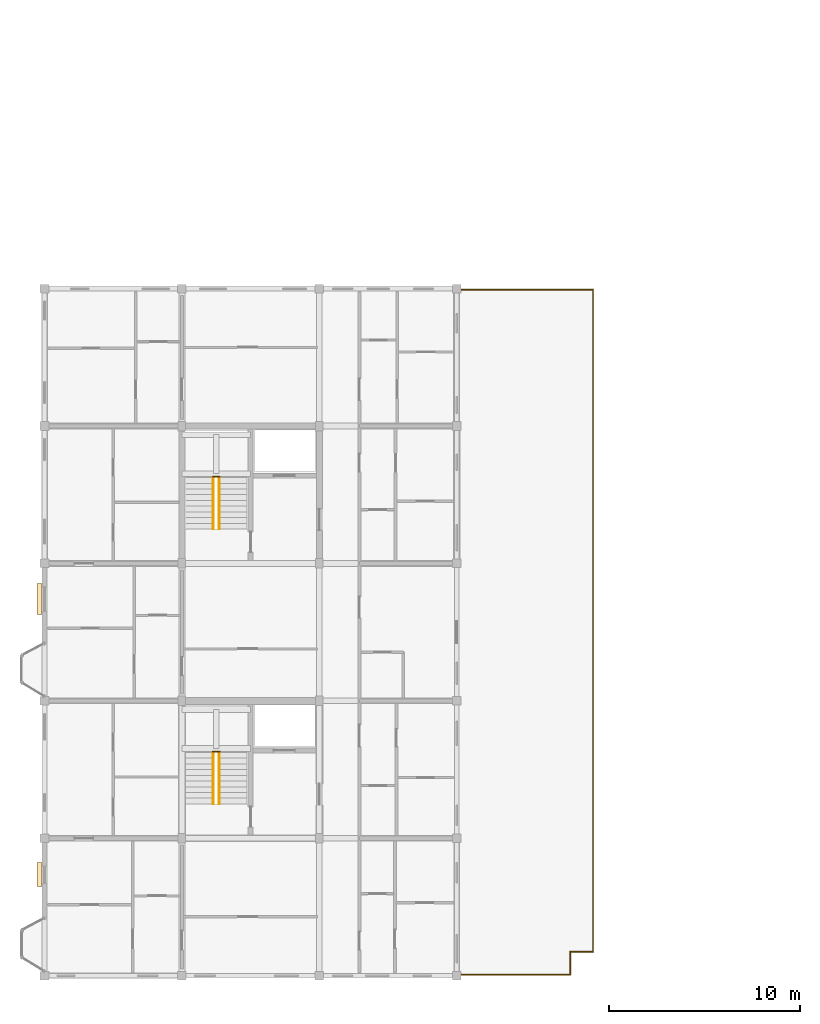
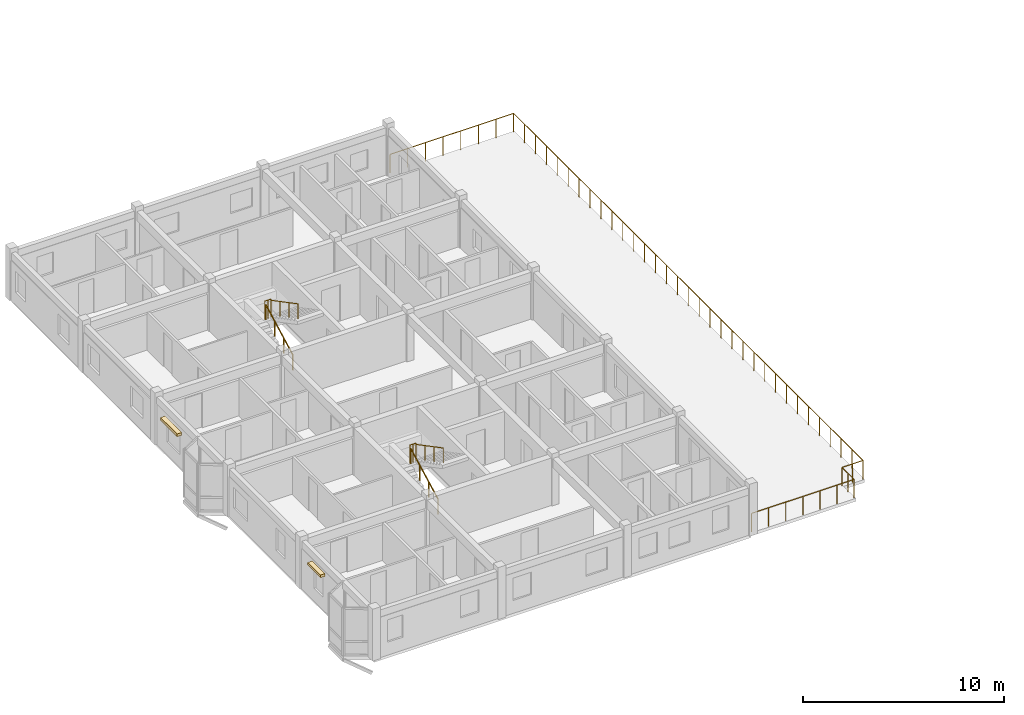
# One storey, part 38 of 40: 7 railings, 2 coverings.
"""IFC4 building model written with IfcOpenShell, lengths in metres."""

import ifcopenshell
import ifcopenshell.guid

model = None  # the IFC model being written
_history = None  # IfcOwnerHistory: only IFC2X3 demands one
_inside = {}  # id of a spatial element -> (the spatial element, [elements in it])
_under = {}  # id of a project, library or spatial element -> (it, [spatial elements below it])
_declared = {}  # id of a project -> (the project, [libraries it declares])
_typed = {}  # id of a type object -> (the type object, [elements of that type])
_made_of = {}  # id of a material, layer set ... -> (it, [elements and type objects made of it])


def new_model(schema):
    """Start an empty IFC model of exactly this schema.

    Asked for "IFC4X3", IfcOpenShell would pick the latest addendum, in which some entities
    have other attributes; the version numbers below select the first issue.
    IFC2X3 requires an IfcOwnerHistory on every rooted entity: one is made here for all.
    """
    global model, _history
    if schema == "IFC4X3":
        model = ifcopenshell.file(schema_version=(4, 3, 0, 0))
    else:
        model = ifcopenshell.file(schema=schema)
    _inside.clear()
    _under.clear()
    _declared.clear()
    _typed.clear()
    _made_of.clear()
    _history = None
    if model.schema == "IFC2X3":
        org = make("IfcOrganization", Name="unknown")
        user = make(
            "IfcPersonAndOrganization",
            ThePerson=make("IfcPerson", FamilyName="unknown"),
            TheOrganization=org,
        )
        app = make(
            "IfcApplication",
            ApplicationDeveloper=org,
            Version="unknown",
            ApplicationFullName="unknown",
            ApplicationIdentifier="unknown",
        )
        _history = make(
            "IfcOwnerHistory",
            OwningUser=user,
            OwningApplication=app,
            ChangeAction="ADDED",
            CreationDate=0,
        )
    return model


def make(cls, **values):
    """One entity of the class cls with the attributes given. An attribute that is None is left unset."""
    return model.create_entity(
        cls, **{name: value for name, value in values.items() if value is not None}
    )


def rooted(cls, **values):
    """An entity with a GlobalId (a new one), such as an element, a storey or a relation."""
    return make(cls, GlobalId=ifcopenshell.guid.new(), OwnerHistory=_history, **values)


def si_unit(unit_type, name, prefix=None):
    """IfcSIUnit, for example si_unit("LENGTHUNIT", "METRE", prefix="MILLI")."""
    return make("IfcSIUnit", UnitType=unit_type, Prefix=prefix, Name=name)


def assignment(units):
    """IfcUnitAssignment: the units of a project."""
    return None if units is None else make("IfcUnitAssignment", Units=units)


def point(xyz):
    """IfcCartesianPoint."""
    return None if xyz is None else make("IfcCartesianPoint", Coordinates=xyz)


def direction(xyz):
    """IfcDirection."""
    return None if xyz is None else make("IfcDirection", DirectionRatios=xyz)


def frame(location, z_axis=None, x_axis=None):
    """IfcAxis2Placement3D, a coordinate frame: its origin and axes. An axis left out is left unset."""
    return make(
        "IfcAxis2Placement3D",
        Location=point(location),
        Axis=direction(z_axis),
        RefDirection=direction(x_axis),
    )


def frame_2d(location, x_axis=None):
    """IfcAxis2Placement2D, a coordinate frame in the plane: its origin and x axis."""
    return make(
        "IfcAxis2Placement2D", Location=point(location), RefDirection=direction(x_axis)
    )


def origin():
    """The frame at (0, 0, 0) with its axes left unset."""
    return frame((0.0, 0.0, 0.0))


def origin_2d():
    """The frame at (0, 0) in the plane with its x axis left unset."""
    return frame_2d((0.0, 0.0))


def place(relative_to, where):
    """IfcLocalPlacement: puts the frame where relative to a parent placement (None: the world)."""
    return make(
        "IfcLocalPlacement", PlacementRelTo=relative_to, RelativePlacement=where
    )


def context(
    kind, dimensions, precision=None, world=None, true_north=None, identifier=None
):
    """IfcGeometricRepresentationContext, for example the 3D "Model" context."""
    return make(
        "IfcGeometricRepresentationContext",
        ContextIdentifier=identifier,
        ContextType=kind,
        CoordinateSpaceDimension=dimensions,
        Precision=precision,
        WorldCoordinateSystem=world,
        TrueNorth=true_north,
    )


def subcontext(parent, identifier, kind, view, scale=None):
    """IfcGeometricRepresentationSubContext, for example "Body" below "Model"."""
    return make(
        "IfcGeometricRepresentationSubContext",
        ContextIdentifier=identifier,
        ContextType=kind,
        ParentContext=parent,
        TargetScale=scale,
        TargetView=view,
    )


def project(units=None, contexts=None):
    """IfcProject with its units and contexts."""
    return rooted(
        "IfcProject",
        Name="project",
        RepresentationContexts=contexts,
        UnitsInContext=assignment(units),
    )


def spatial(cls, under=None, at=None, **own):
    """A site, building, storey or space (cls), placed at a placement, below another one or the project."""
    s = rooted(cls, ObjectPlacement=at, **own)
    if under is not None:
        _under.setdefault(under.id(), (under, []))[1].append(s)
    return s


def profile(cls, at=None, kind="AREA", **sizes):
    """A parametric profile (cls). Its sizes go by their IFC names, for example OverallWidth=200.0."""
    return make(cls, ProfileType=kind, Position=at, **sizes)


def rectangle(**sizes):
    """IfcRectangleProfileDef."""
    return profile("IfcRectangleProfileDef", **sizes)


def circle(**sizes):
    """IfcCircleProfileDef."""
    return profile("IfcCircleProfileDef", **sizes)


def extrude(swept, where, along, depth):
    """IfcExtrudedAreaSolid: the profile swept, set in the frame where, extruded along a direction by depth."""
    return make(
        "IfcExtrudedAreaSolid",
        SweptArea=swept,
        Position=where,
        ExtrudedDirection=direction(along),
        Depth=depth,
    )


def shape(context_of_items, identifier, shape_type, items):
    """IfcShapeRepresentation: the items that make up one representation, for example the "Body"."""
    return make(
        "IfcShapeRepresentation",
        ContextOfItems=context_of_items,
        RepresentationIdentifier=identifier,
        RepresentationType=shape_type,
        Items=items,
    )


def material(Name=None, Category=None):
    """IfcMaterial."""
    return make("IfcMaterial", Name=Name, Category=Category)


def layer(
    of_material, thickness, ventilated=None, Name=None, Category=None, Priority=None
):
    """IfcMaterialLayer: one layer of a wall or slab, of a material (None: an air gap)."""
    return make(
        "IfcMaterialLayer",
        Material=of_material,
        LayerThickness=thickness,
        IsVentilated=ventilated,
        Name=Name,
        Category=Category,
        Priority=Priority,
    )


def layer_set(layers, Name=None):
    """IfcMaterialLayerSet."""
    return make("IfcMaterialLayerSet", MaterialLayers=layers, LayerSetName=Name)


def made_of(thing, what):
    """Note that an element or type object is made of a material, layer set ...; save() writes the relation."""
    if what is not None:
        _made_of.setdefault(what.id(), (what, []))[1].append(thing)
    return thing


def type_object(cls, material=None, **own):
    """A type object (cls), such as IfcWallType, which elements share."""
    return made_of(rooted(cls, **own), material)


def element(
    cls,
    number,
    at=None,
    inside=None,
    cuts=None,
    type_object=None,
    material=None,
    context=None,
    identifier="Body",
    shape_type=None,
    held_by="IfcProductDefinitionShape",
    body=None,
    shapes=None,
    **own,
):
    """One element of the class cls, such as IfcWall. Its Tag is "e" and its number.

    at: its placement. inside: the storey or other place that contains it. cuts: it is an
    opening in that element (IfcRelVoidsElement). A single representation is given by context,
    identifier, shape_type and body (its items); several are given by shapes. held_by: the class
    of the entity that holds the representations. save() writes the other relations.
    """
    e = rooted(cls, Tag="e%d" % number, ObjectPlacement=at, **own)
    if body is not None:
        shapes = [shape(context, identifier, shape_type, body)]
    if shapes is not None:
        e.Representation = make(held_by, Representations=shapes)
    if inside is not None:
        _inside.setdefault(inside.id(), (inside, []))[1].append(e)
    if cuts is not None:
        rooted(
            "IfcRelVoidsElement", RelatingBuildingElement=cuts, RelatedOpeningElement=e
        )
    if type_object is not None:
        _typed.setdefault(type_object.id(), (type_object, []))[1].append(e)
    return made_of(e, material)


def aggregate(whole, parts):
    """IfcRelAggregates: a whole, such as a stair, and the parts it consists of."""
    return rooted("IfcRelAggregates", RelatingObject=whole, RelatedObjects=parts)


def save(model, path):
    """Write the relations noted so far, then the file.

    IfcRelAggregates (storeys below a building ...), IfcRelContainedInSpatialStructure (elements
    in a storey), IfcRelDefinesByType, IfcRelAssociatesMaterial and IfcRelDeclares: one each for
    every whole, place, type object, material and project.
    """
    for whole, parts in _under.values():
        aggregate(whole, parts)
    for where, things in _inside.values():
        rooted(
            "IfcRelContainedInSpatialStructure",
            RelatedElements=things,
            RelatingStructure=where,
        )
    for kind, things in _typed.values():
        rooted("IfcRelDefinesByType", RelatedObjects=things, RelatingType=kind)
    for what, things in _made_of.values():
        rooted("IfcRelAssociatesMaterial", RelatedObjects=things, RelatingMaterial=what)
    for by, libraries in _declared.values():
        rooted("IfcRelDeclares", RelatingContext=by, RelatedDefinitions=libraries)
    model.write(path)


model = new_model("IFC4")

# Units and contexts
model_context = context("Model", 3, precision=1e-05, world=origin(), true_north=direction((0.0, 1.0)))
body_context = subcontext(model_context, "Body", "Model", "MODEL_VIEW")
ifc_project = project(units=[si_unit("LENGTHUNIT", "METRE"), si_unit("AREAUNIT", "SQUARE_METRE"), si_unit("VOLUMEUNIT", "CUBIC_METRE"), si_unit("PLANEANGLEUNIT", "RADIAN"), si_unit("MASSUNIT", "GRAM", prefix="KILO"), si_unit("THERMODYNAMICTEMPERATUREUNIT", "KELVIN"), si_unit("POWERUNIT", "WATT")], contexts=[model_context])

# Site, building, storey
site_placement = place(None, origin())
site = spatial("IfcSite", under=ifc_project, at=site_placement, CompositionType="ELEMENT")
building_placement = place(site_placement, origin())
building = spatial("IfcBuilding", under=site, at=building_placement, Name="Tavuni Mirador Residences", CompositionType="ELEMENT")
storey_placement = place(building_placement, frame((0.0, 0.0, 36.0)))
storey = spatial("IfcBuildingStorey", under=building, at=storey_placement, Name="L11", CompositionType="ELEMENT", Elevation=36.0)

# Coverings
ifc_material_1 = material(Name="Natural coral limestone", Category="masonry")
ifc_layer = layer(ifc_material_1, 0.054931640625, Name="Natural coral limestone", Category="masonry")
ifc_layer_set = layer_set([ifc_layer], Name="Natural coral limestone")
covering_type = type_object("IfcCoveringType", Name="CVT-CLAD-CORAL", PredefinedType="CLADDING", material=ifc_layer_set)
covering_1_placement = place(storey_placement, frame((3.3505859375, 26.9326171875, 2.06005859375), z_axis=(0.0, 0.0, 1.0), x_axis=(0.0, -1.0, 0.0)))
element("IfcCovering", 1, at=covering_1_placement, inside=storey, type_object=covering_type, Name="HOOD-0245", PredefinedType="CLADDING", context=body_context, shape_type="SweptSolid", body=[
    extrude(rectangle(XDim=1.639892578125, YDim=0.260009765625, at=origin_2d()), origin(), (0.0, 0.0, 1.0), 0.159912109375),
])
covering_2_placement = place(storey_placement, frame((3.33544921875, 12.492431640625, 2.16015625), z_axis=(0.0, 0.0, 1.0), x_axis=(0.0, -1.0, 0.0)))
element("IfcCovering", 2, at=covering_2_placement, inside=storey, type_object=covering_type, Name="HOOD-0246", PredefinedType="CLADDING", context=body_context, shape_type="SweptSolid", body=[
    extrude(rectangle(XDim=1.260009765625, YDim=0.260009765625, at=origin_2d()), origin(), (0.0, 0.0, 1.0), 0.159912109375),
])

# Railings
ifc_material_2 = material(Name="Structural steel S355", Category="steel")
railing_type_1 = type_object("IfcRailingType", Name="RT-BL1150", PredefinedType="BALUSTRADE", material=ifc_material_2)
railing_1_placement = place(storey_placement, frame((25.260009765625, 7.260009765625, 0.0)))
element("IfcRailing", 3, at=railing_1_placement, inside=storey, type_object=railing_type_1, Name="Terrace guard TER-A-L11", PredefinedType="BALUSTRADE", context=body_context, shape_type="SweptSolid", body=[
    extrude(circle(Radius=0.02392578125, at=origin_2d()), frame((0.0, 0.0, 1.1259765625), z_axis=(1.0, 0.0, 0.0), x_axis=(0.0, 1.0, 0.0)), (0.0, 0.0, 1.0), 5.8798828125),
    extrude(circle(Radius=0.02392578125, at=origin_2d()), frame((5.8798828125, 0.0, 1.1259765625), z_axis=(0.0, 1.0, 0.0), x_axis=(-1.0, 0.0, 0.0)), (0.0, 0.0, 1.0), 1.199951171875),
    extrude(circle(Radius=0.02392578125, at=origin_2d()), frame((5.8798828125, 1.199951171875, 1.1259765625), z_axis=(1.0, 0.0, 0.0), x_axis=(0.0, 1.0, 0.0)), (0.0, 0.0, 1.0), 1.2001953125),
    extrude(circle(Radius=0.02392578125, at=origin_2d()), frame((7.080078125, 1.199951171875, 1.1259765625), z_axis=(0.0, 1.0, 0.0), x_axis=(-1.0, 0.0, 0.0)), (0.0, 0.0, 1.0), 34.679931640625),
    extrude(circle(Radius=0.02392578125, at=origin_2d()), frame((7.080078125, 35.8798828125, 1.1259765625), z_axis=(-1.0, 0.0, 0.0), x_axis=(0.0, -1.0, 0.0)), (0.0, 0.0, 1.0), 7.080078125),
    extrude(circle(Radius=0.02099609375, at=origin_2d()), origin(), (0.0, 0.0, 1.0), 1.101806640625),
    extrude(circle(Radius=0.02099609375, at=origin_2d()), frame((0.97998046875, 0.0, 0.0)), (0.0, 0.0, 1.0), 1.101806640625),
    extrude(circle(Radius=0.02099609375, at=origin_2d()), frame((1.9599609375, 0.0, 0.0)), (0.0, 0.0, 1.0), 1.101806640625),
    extrude(circle(Radius=0.02099609375, at=origin_2d()), frame((2.93994140625, 0.0, 0.0)), (0.0, 0.0, 1.0), 1.101806640625),
    extrude(circle(Radius=0.02099609375, at=origin_2d()), frame((3.919921875, 0.0, 0.0)), (0.0, 0.0, 1.0), 1.101806640625),
    extrude(circle(Radius=0.02099609375, at=origin_2d()), frame((4.89990234375, 0.0, 0.0)), (0.0, 0.0, 1.0), 1.101806640625),
    extrude(circle(Radius=0.02099609375, at=origin_2d()), frame((5.8798828125, 0.0, 0.0)), (0.0, 0.0, 1.0), 1.101806640625),
    extrude(circle(Radius=0.02099609375, at=origin_2d()), frame((5.8798828125, 0.60009765625, 0.0)), (0.0, 0.0, 1.0), 1.101806640625),
    extrude(circle(Radius=0.02099609375, at=origin_2d()), frame((5.8798828125, 1.199951171875, 0.0)), (0.0, 0.0, 1.0), 1.101806640625),
    extrude(circle(Radius=0.02099609375, at=origin_2d()), frame((6.47998046875, 1.199951171875, 0.0)), (0.0, 0.0, 1.0), 1.101806640625),
    extrude(circle(Radius=0.02099609375, at=origin_2d()), frame((7.080078125, 1.199951171875, 0.0)), (0.0, 0.0, 1.0), 1.101806640625),
    extrude(circle(Radius=0.02099609375, at=origin_2d()), frame((7.080078125, 2.28369140625, 0.0)), (0.0, 0.0, 1.0), 1.101806640625),
    extrude(circle(Radius=0.02099609375, at=origin_2d()), frame((7.080078125, 3.367431640625, 0.0)), (0.0, 0.0, 1.0), 1.101806640625),
    extrude(circle(Radius=0.02099609375, at=origin_2d()), frame((7.080078125, 4.451171875, 0.0)), (0.0, 0.0, 1.0), 1.101806640625),
    extrude(circle(Radius=0.02099609375, at=origin_2d()), frame((7.080078125, 5.534912109375, 0.0)), (0.0, 0.0, 1.0), 1.101806640625),
    extrude(circle(Radius=0.02099609375, at=origin_2d()), frame((7.080078125, 6.61865234375, 0.0)), (0.0, 0.0, 1.0), 1.101806640625),
    extrude(circle(Radius=0.02099609375, at=origin_2d()), frame((7.080078125, 7.702392578125, 0.0)), (0.0, 0.0, 1.0), 1.101806640625),
    extrude(circle(Radius=0.02099609375, at=origin_2d()), frame((7.080078125, 8.7861328125, 0.0)), (0.0, 0.0, 1.0), 1.101806640625),
    extrude(circle(Radius=0.02099609375, at=origin_2d()), frame((7.080078125, 9.869873046875, 0.0)), (0.0, 0.0, 1.0), 1.101806640625),
    extrude(circle(Radius=0.02099609375, at=origin_2d()), frame((7.080078125, 10.95361328125, 0.0)), (0.0, 0.0, 1.0), 1.101806640625),
    extrude(circle(Radius=0.02099609375, at=origin_2d()), frame((7.080078125, 12.037353515625, 0.0)), (0.0, 0.0, 1.0), 1.101806640625),
    extrude(circle(Radius=0.02099609375, at=origin_2d()), frame((7.080078125, 13.12109375, 0.0)), (0.0, 0.0, 1.0), 1.101806640625),
    extrude(circle(Radius=0.02099609375, at=origin_2d()), frame((7.080078125, 14.204833984375, 0.0)), (0.0, 0.0, 1.0), 1.101806640625),
    extrude(circle(Radius=0.02099609375, at=origin_2d()), frame((7.080078125, 15.28857421875, 0.0)), (0.0, 0.0, 1.0), 1.101806640625),
    extrude(circle(Radius=0.02099609375, at=origin_2d()), frame((7.080078125, 16.372314453125, 0.0)), (0.0, 0.0, 1.0), 1.101806640625),
    extrude(circle(Radius=0.02099609375, at=origin_2d()), frame((7.080078125, 17.4560546875, 0.0)), (0.0, 0.0, 1.0), 1.101806640625),
    extrude(circle(Radius=0.02099609375, at=origin_2d()), frame((7.080078125, 18.5400390625, 0.0)), (0.0, 0.0, 1.0), 1.101806640625),
    extrude(circle(Radius=0.02099609375, at=origin_2d()), frame((7.080078125, 19.623779296875, 0.0)), (0.0, 0.0, 1.0), 1.101806640625),
    extrude(circle(Radius=0.02099609375, at=origin_2d()), frame((7.080078125, 20.70751953125, 0.0)), (0.0, 0.0, 1.0), 1.101806640625),
    extrude(circle(Radius=0.02099609375, at=origin_2d()), frame((7.080078125, 21.791259765625, 0.0)), (0.0, 0.0, 1.0), 1.101806640625),
    extrude(circle(Radius=0.02099609375, at=origin_2d()), frame((7.080078125, 22.875, 0.0)), (0.0, 0.0, 1.0), 1.101806640625),
    extrude(circle(Radius=0.02099609375, at=origin_2d()), frame((7.080078125, 23.958740234375, 0.0)), (0.0, 0.0, 1.0), 1.101806640625),
    extrude(circle(Radius=0.02099609375, at=origin_2d()), frame((7.080078125, 25.04248046875, 0.0)), (0.0, 0.0, 1.0), 1.101806640625),
    extrude(circle(Radius=0.02099609375, at=origin_2d()), frame((7.080078125, 26.126220703125, 0.0)), (0.0, 0.0, 1.0), 1.101806640625),
    extrude(circle(Radius=0.02099609375, at=origin_2d()), frame((7.080078125, 27.2099609375, 0.0)), (0.0, 0.0, 1.0), 1.101806640625),
    extrude(circle(Radius=0.02099609375, at=origin_2d()), frame((7.080078125, 28.293701171875, 0.0)), (0.0, 0.0, 1.0), 1.101806640625),
    extrude(circle(Radius=0.02099609375, at=origin_2d()), frame((7.080078125, 29.37744140625, 0.0)), (0.0, 0.0, 1.0), 1.101806640625),
    extrude(circle(Radius=0.02099609375, at=origin_2d()), frame((7.080078125, 30.461181640625, 0.0)), (0.0, 0.0, 1.0), 1.101806640625),
    extrude(circle(Radius=0.02099609375, at=origin_2d()), frame((7.080078125, 31.544921875, 0.0)), (0.0, 0.0, 1.0), 1.101806640625),
    extrude(circle(Radius=0.02099609375, at=origin_2d()), frame((7.080078125, 32.628662109375, 0.0)), (0.0, 0.0, 1.0), 1.101806640625),
    extrude(circle(Radius=0.02099609375, at=origin_2d()), frame((7.080078125, 33.71240234375, 0.0)), (0.0, 0.0, 1.0), 1.101806640625),
    extrude(circle(Radius=0.02099609375, at=origin_2d()), frame((7.080078125, 34.796142578125, 0.0)), (0.0, 0.0, 1.0), 1.101806640625),
    extrude(circle(Radius=0.02099609375, at=origin_2d()), frame((7.080078125, 35.8798828125, 0.0)), (0.0, 0.0, 1.0), 1.101806640625),
    extrude(circle(Radius=0.02099609375, at=origin_2d()), frame((6.068603515625, 35.8798828125, 0.0)), (0.0, 0.0, 1.0), 1.101806640625),
    extrude(circle(Radius=0.02099609375, at=origin_2d()), frame((5.05712890625, 35.8798828125, 0.0)), (0.0, 0.0, 1.0), 1.101806640625),
    extrude(circle(Radius=0.02099609375, at=origin_2d()), frame((4.045654296875, 35.8798828125, 0.0)), (0.0, 0.0, 1.0), 1.101806640625),
    extrude(circle(Radius=0.02099609375, at=origin_2d()), frame((3.034423828125, 35.8798828125, 0.0)), (0.0, 0.0, 1.0), 1.101806640625),
    extrude(circle(Radius=0.02099609375, at=origin_2d()), frame((2.02294921875, 35.8798828125, 0.0)), (0.0, 0.0, 1.0), 1.101806640625),
    extrude(circle(Radius=0.02099609375, at=origin_2d()), frame((1.011474609375, 35.8798828125, 0.0)), (0.0, 0.0, 1.0), 1.101806640625),
    extrude(circle(Radius=0.02099609375, at=origin_2d()), frame((0.0, 35.8798828125, 0.0)), (0.0, 0.0, 1.0), 1.101806640625),
])
railing_type_2 = type_object("IfcRailingType", Name="RT-GR1120", PredefinedType="GUARDRAIL", material=ifc_material_2)
for number, where, name in (
    (4, (12.419921875, 18.93994140625, 1.574951171875), "GRD-HL-ST1-L11"),
    (5, (12.419921875, 33.340087890625, 1.574951171875), "GRD-HL-ST2-L11"),
):
    element("IfcRailing", number, at=place(storey_placement, frame(where)), inside=storey, type_object=railing_type_2, Name=name, PredefinedType="GUARDRAIL", context=body_context, shape_type="SweptSolid", body=[
        extrude(circle(Radius=0.02392578125, at=origin_2d()), frame((0.0, 0.0, 1.09619140625), z_axis=(1.0, 0.0, 0.0), x_axis=(0.0, 1.0, 0.0)), (0.0, 0.0, 1.0), 0.360107421875),
        extrude(circle(Radius=0.02099609375, at=origin_2d()), origin(), (0.0, 0.0, 1.0), 1.072021484375),
        extrude(circle(Radius=0.02099609375, at=origin_2d()), frame((0.18017578125, 0.0, 0.0)), (0.0, 0.0, 1.0), 1.072021484375),
        extrude(circle(Radius=0.02099609375, at=origin_2d()), frame((0.360107421875, 0.0, 0.0)), (0.0, 0.0, 1.0), 1.072021484375),
    ])
railing_type_3 = type_object("IfcRailingType", Name="RT-HR920", PredefinedType="HANDRAIL", material=ifc_material_2)
railing_2_placement = place(storey_placement, frame((12.449951171875, 16.199951171875, 0.157470703125)))
element("IfcRailing", 6, at=railing_2_placement, inside=storey, type_object=railing_type_3, Name="HR-ST1-L11-F1", PredefinedType="HANDRAIL", context=body_context, shape_type="SweptSolid", body=[
    extrude(circle(Radius=0.02392578125, at=origin_2d()), frame((0.0, 0.0, 0.89599609375), z_axis=(0.0, 0.885397079081, 0.464835468048), x_axis=(-1.0, 0.0, 0.0)), (0.0, 0.0, 1.0), 3.04931640625),
    extrude(circle(Radius=0.02099609375, at=origin_2d()), origin(), (0.0, 0.0, 1.0), 0.871826171875),
    extrude(circle(Radius=0.02099609375, at=origin_2d()), frame((0.0, 0.89990234375, 0.472412109375)), (0.0, 0.0, 1.0), 0.871826171875),
    extrude(circle(Radius=0.02099609375, at=origin_2d()), frame((0.0, 1.800048828125, 0.945068359375)), (0.0, 0.0, 1.0), 0.871826171875),
    extrude(circle(Radius=0.02099609375, at=origin_2d()), frame((0.0, 2.699951171875, 1.41748046875)), (0.0, 0.0, 1.0), 0.871826171875),
])
railing_3_placement = place(storey_placement, frame((12.75, 18.89990234375, 1.732421875)))
element("IfcRailing", 7, at=railing_3_placement, inside=storey, type_object=railing_type_3, Name="HR-ST1-L11-F2", PredefinedType="HANDRAIL", context=body_context, shape_type="SweptSolid", body=[
    extrude(circle(Radius=0.02392578125, at=origin_2d()), frame((0.0, 0.0, 0.89599609375), z_axis=(0.0, -0.885397079081, 0.464835468048), x_axis=(1.0, 0.0, 0.0)), (0.0, 0.0, 1.0), 3.04931640625),
    extrude(circle(Radius=0.02099609375, at=origin_2d()), origin(), (0.0, 0.0, 1.0), 0.871826171875),
    extrude(circle(Radius=0.02099609375, at=origin_2d()), frame((0.0, -0.89990234375, 0.472412109375)), (0.0, 0.0, 1.0), 0.871826171875),
    extrude(circle(Radius=0.02099609375, at=origin_2d()), frame((0.0, -1.800048828125, 0.945068359375)), (0.0, 0.0, 1.0), 0.871826171875),
    extrude(circle(Radius=0.02099609375, at=origin_2d()), frame((0.0, -2.699951171875, 1.41748046875)), (0.0, 0.0, 1.0), 0.871826171875),
])
railing_4_placement = place(storey_placement, frame((12.449951171875, 30.60009765625, 0.157470703125)))
element("IfcRailing", 8, at=railing_4_placement, inside=storey, type_object=railing_type_3, Name="HR-ST2-L11-F1", PredefinedType="HANDRAIL", context=body_context, shape_type="SweptSolid", body=[
    extrude(circle(Radius=0.02392578125, at=origin_2d()), frame((0.0, 0.0, 0.89599609375), z_axis=(0.0, 0.885397079081, 0.464835468048), x_axis=(-1.0, 0.0, 0.0)), (0.0, 0.0, 1.0), 3.04931640625),
    extrude(circle(Radius=0.02099609375, at=origin_2d()), origin(), (0.0, 0.0, 1.0), 0.871826171875),
    extrude(circle(Radius=0.02099609375, at=origin_2d()), frame((0.0, 0.89990234375, 0.472412109375)), (0.0, 0.0, 1.0), 0.871826171875),
    extrude(circle(Radius=0.02099609375, at=origin_2d()), frame((0.0, 1.800048828125, 0.945068359375)), (0.0, 0.0, 1.0), 0.871826171875),
    extrude(circle(Radius=0.02099609375, at=origin_2d()), frame((0.0, 2.699951171875, 1.41748046875)), (0.0, 0.0, 1.0), 0.871826171875),
])
railing_5_placement = place(storey_placement, frame((12.75, 33.300048828125, 1.732421875)))
element("IfcRailing", 9, at=railing_5_placement, inside=storey, type_object=railing_type_3, Name="HR-ST2-L11-F2", PredefinedType="HANDRAIL", context=body_context, shape_type="SweptSolid", body=[
    extrude(circle(Radius=0.02392578125, at=origin_2d()), frame((0.0, 0.0, 0.89599609375), z_axis=(0.0, -0.885397079081, 0.464835468048), x_axis=(1.0, 0.0, 0.0)), (0.0, 0.0, 1.0), 3.04931640625),
    extrude(circle(Radius=0.02099609375, at=origin_2d()), origin(), (0.0, 0.0, 1.0), 0.871826171875),
    extrude(circle(Radius=0.02099609375, at=origin_2d()), frame((0.0, -0.89990234375, 0.472412109375)), (0.0, 0.0, 1.0), 0.871826171875),
    extrude(circle(Radius=0.02099609375, at=origin_2d()), frame((0.0, -1.800048828125, 0.945068359375)), (0.0, 0.0, 1.0), 0.871826171875),
    extrude(circle(Radius=0.02099609375, at=origin_2d()), frame((0.0, -2.699951171875, 1.41748046875)), (0.0, 0.0, 1.0), 0.871826171875),
])

save(model, "model.ifc")
